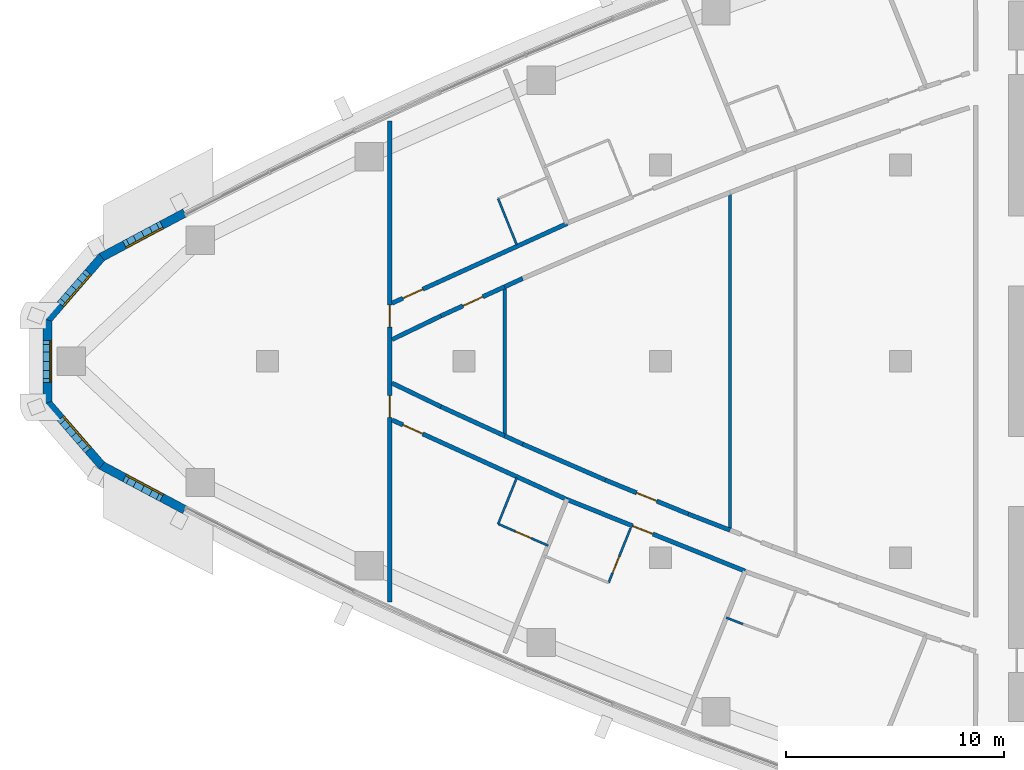
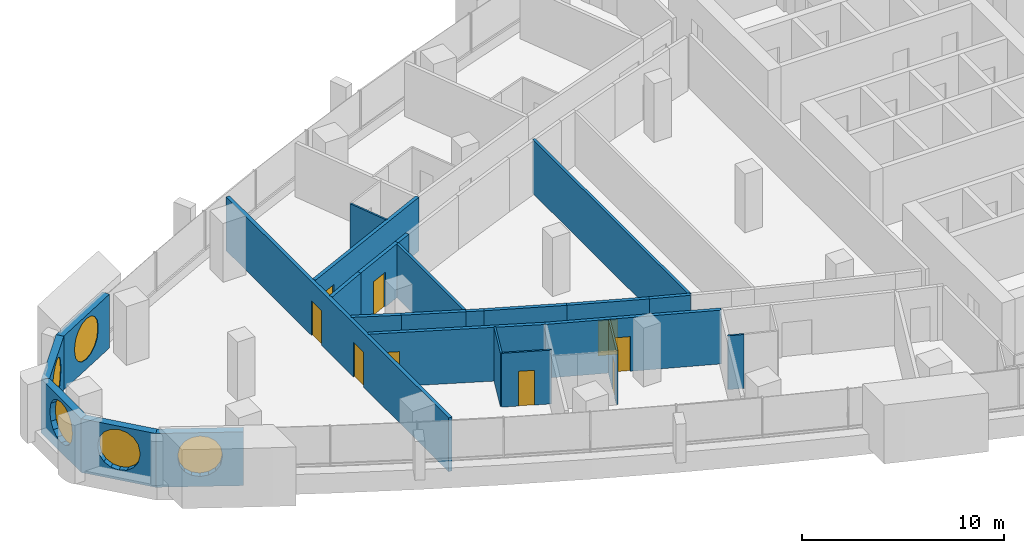
# One storey, part 9 of 17: 25 walls, 9 doors, 5 windows, 14 openings.
"""IFC4 building model written with IfcOpenShell, lengths in metres."""

from ifc_helpers import new_model, si_unit, direction, frame, frame_2d, origin, place, context, subcontext, project, spatial, polyline, rectangle, outline, extrude, material, layer, layer_set, type_object, element, fill, save


model = new_model("IFC4")

# Units and contexts
model_context = context("Model", 3, precision=1e-05, world=origin(), true_north=direction((0.0, 1.0)))
body_context = subcontext(model_context, "Body", "Model", "MODEL_VIEW")
ifc_project = project(units=[si_unit("LENGTHUNIT", "METRE"), si_unit("AREAUNIT", "SQUARE_METRE"), si_unit("VOLUMEUNIT", "CUBIC_METRE"), si_unit("PLANEANGLEUNIT", "RADIAN"), si_unit("MASSUNIT", "GRAM", prefix="KILO")], contexts=[model_context])

# Site, building, storey
site_placement = place(None, origin())
site = spatial("IfcSite", under=ifc_project, at=site_placement, CompositionType="ELEMENT")
building_placement = place(site_placement, origin())
building = spatial("IfcBuilding", under=site, at=building_placement, Name="Ostrand Prow Hotel Tower", CompositionType="ELEMENT")
storey_placement = place(building_placement, frame((0.0, 0.0, 193.25)))
storey = spatial("IfcBuildingStorey", under=building, at=storey_placement, Name="L48", CompositionType="ELEMENT", Elevation=193.25)

# Walls
ifc_material_1 = material(Name="Plasterboard partition")
ifc_layer_1 = layer(ifc_material_1, 0.10009765625)
ifc_layer_set_1 = layer_set([ifc_layer_1], Name="Plasterboard partition")
wall_type_1 = type_object("IfcWallType", Name="Partition 100 bathroom wall", PredefinedType="PARTITIONING", material=ifc_layer_set_1)
for number, where, z_axis, x_axis, name in (
    (1, (27.4189453125, 5.336181640625, 0.0), (0.0, 0.0, 1.0), (-0.373957926662, 0.927445669075, 0.0), "BATHROOM WALL"),
    (2, (26.567138671875, -7.44873046875, 0.0), (0.0, 0.0, 1.0), (0.373957926662, 0.927445669075, 0.0), "BATHROOM WALL"),
):
    element("IfcWall", number, at=place(storey_placement, frame(where, z_axis=z_axis, x_axis=x_axis)), inside=storey, type_object=wall_type_1, Name=name, PredefinedType="PARTITIONING", context=body_context, shape_type="SweptSolid", body=[
        extrude(rectangle(XDim=2.27783203125, YDim=0.10009765625, at=frame_2d((1.138916015625, 0.0))), origin(), (0.0, 0.0, 1.0), 3.25),
    ])

# Wall, opening, door
wall_1_placement = place(storey_placement, frame((28.861328125, -8.444091796875, 0.0), z_axis=(0.0, 0.0, 1.0), x_axis=(-0.917363173809, 0.398051262199, 0.0)))
wall_1 = element("IfcWall", 3, at=wall_1_placement, inside=storey, type_object=wall_type_1, Name="BATHROOM WALL", PredefinedType="PARTITIONING", context=body_context, shape_type="SweptSolid", body=[
    extrude(rectangle(XDim=2.50048828125, YDim=0.10009765625, at=frame_2d((1.250244140625, 0.0))), origin(), (0.0, 0.0, 1.0), 3.25),
])
opening_1_placement = place(wall_1_placement, frame((0.85009765625, 0.0, 0.0)))
opening_1 = element("IfcOpeningElement", 4, at=opening_1_placement, cuts=wall_1, Name="Opening D2", PredefinedType="OPENING", context=body_context, shape_type="SweptSolid", body=[
    extrude(rectangle(XDim=0.800048828125, YDim=2.10009765625, at=frame_2d((0.39990234375, 1.050048828125))), frame((0.0, 0.06005859375, 0.0), z_axis=(0.0, -1.0, 0.0), x_axis=(1.0, 0.0, 0.0)), (0.0, 0.0, 1.0), 0.1201171875),
])
ifc_material_2 = material(Name="Timber door leaf", Category="wood")
door_type_1 = type_object("IfcDoorType", Name="Bathroom door 800", OperationType="SINGLE_SWING_LEFT", PredefinedType="DOOR", material=ifc_material_2)
door_1_placement = place(opening_1_placement, origin())
door_1 = element("IfcDoor", 5, at=door_1_placement, inside=storey, type_object=door_type_1, Name="DOOR", OperationType="SINGLE_SWING_LEFT", OverallHeight=2.10009765625, OverallWidth=0.800048828125, PredefinedType="DOOR", context=body_context, shape_type="SweptSolid", body=[
    extrude(rectangle(XDim=0.800048828125, YDim=2.10009765625, at=frame_2d((0.39990234375, 1.050048828125))), frame((0.0, 0.02490234375, 0.0), z_axis=(0.0, -1.0, 0.0), x_axis=(1.0, 0.0, 0.0)), (0.0, 0.0, 1.0), 0.050048828125),
])
fill(opening_1, door_1)

wall_2_placement = place(storey_placement, frame((32.634521484375, -7.6435546875, 0.0), z_axis=(0.0, 0.0, 1.0), x_axis=(-0.373933172856, -0.927455649742, 0.0)))
wall_2 = element("IfcWall", 6, at=wall_2_placement, inside=storey, type_object=wall_type_1, Name="BATHROOM WALL", PredefinedType="PARTITIONING", context=body_context, shape_type="SweptSolid", body=[
    extrude(rectangle(XDim=2.697021484375, YDim=0.10009765625, at=frame_2d((1.3486328125, 0.0))), origin(), (0.0, 0.0, 1.0), 3.25),
])
opening_2_placement = place(wall_2_placement, frame((1.39990234375, 0.0, 0.0)))
opening_2 = element("IfcOpeningElement", 7, at=opening_2_placement, cuts=wall_2, Name="Opening D2", PredefinedType="OPENING", context=body_context, shape_type="SweptSolid", body=[
    extrude(rectangle(XDim=0.800048828125, YDim=2.10009765625, at=frame_2d((0.39990234375, 1.050048828125))), frame((0.0, 0.06005859375, 0.0), z_axis=(0.0, -1.0, 0.0), x_axis=(1.0, 0.0, 0.0)), (0.0, 0.0, 1.0), 0.1201171875),
])
door_2_placement = place(opening_2_placement, origin())
door_2 = element("IfcDoor", 8, at=door_2_placement, inside=storey, type_object=door_type_1, Name="DOOR", OperationType="SINGLE_SWING_LEFT", OverallHeight=2.10009765625, OverallWidth=0.800048828125, PredefinedType="DOOR", context=body_context, shape_type="SweptSolid", body=[
    extrude(rectangle(XDim=0.800048828125, YDim=2.10009765625, at=frame_2d((0.39990234375, 1.050048828125))), frame((0.0, 0.02490234375, 0.0), z_axis=(0.0, -1.0, 0.0), x_axis=(1.0, 0.0, 0.0)), (0.0, 0.0, 1.0), 0.050048828125),
])
fill(opening_2, door_2)

# Walls
wall_3_placement = place(storey_placement, frame((37.7802734375, -12.037353515625, 0.0), z_axis=(0.0, 0.0, 1.0), x_axis=(-0.9326493613, 0.360784102846, 0.0)))
element("IfcWall", 9, at=wall_3_placement, inside=storey, type_object=wall_type_1, Name="BATHROOM WALL", PredefinedType="PARTITIONING", context=body_context, shape_type="SweptSolid", body=[
    extrude(rectangle(XDim=0.8154296875, YDim=0.10009765625, at=frame_2d((0.40771484375, 0.0))), origin(), (0.0, 0.0, 1.0), 3.25),
])
ifc_material_3 = material(Name="Plasterboard partition")
ifc_layer_2 = layer(ifc_material_3, 0.14990234375)
ifc_layer_set_2 = layer_set([ifc_layer_2], Name="Plasterboard partition")
wall_type_2 = type_object("IfcWallType", Name="Partition 150 room partition", PredefinedType="PARTITIONING", material=ifc_layer_set_2)
wall_4_placement = place(storey_placement, frame((26.8662109375, -3.416259765625, 0.0), z_axis=(0.0, 0.0, 1.0), x_axis=(0.0, 1.0, 0.0)))
element("IfcWall", 10, at=wall_4_placement, inside=storey, type_object=wall_type_2, Name="ROOM PARTITION", PredefinedType="PARTITIONING", context=body_context, shape_type="SweptSolid", body=[
    extrude(rectangle(XDim=6.83251953125, YDim=0.14990234375, at=frame_2d((3.416259765625, 0.0))), origin(), (0.0, 0.0, 1.0), 3.25),
])
wall_5_placement = place(storey_placement, frame((37.1904296875, -7.73486328125, 0.0), z_axis=(0.0, 0.0, 1.0), x_axis=(0.0, 1.0, 0.0)))
element("IfcWall", 11, at=wall_5_placement, inside=storey, type_object=wall_type_2, Name="ROOM PARTITION", PredefinedType="PARTITIONING", context=body_context, shape_type="SweptSolid", body=[
    extrude(rectangle(XDim=15.4697265625, YDim=0.14990234375, at=frame_2d((7.73486328125, 0.0))), origin(), (0.0, 0.0, 1.0), 3.25),
])

# Wall, opening, door
ifc_material_4 = material(Name="Plasterboard partition")
ifc_layer_3 = layer(ifc_material_4, 0.199951171875)
ifc_layer_set_3 = layer_set([ifc_layer_3], Name="Plasterboard partition")
wall_type_3 = type_object("IfcWallType", Name="Partition 200 corridor wall", PredefinedType="PARTITIONING", material=ifc_layer_set_3)
wall_6_placement = place(storey_placement, frame((21.7041015625, 2.66259765625, 0.0), z_axis=(0.0, 0.0, 1.0), x_axis=(0.910233539732, 0.414095282692, 0.0)))
wall_6 = element("IfcWall", 12, at=wall_6_placement, inside=storey, type_object=wall_type_3, Name="CORRIDOR WALL", PredefinedType="PARTITIONING", context=body_context, shape_type="SweptSolid", body=[
    extrude(rectangle(XDim=8.808349609375, YDim=0.199951171875, at=frame_2d((4.404296875, 0.0))), origin(), (0.0, 0.0, 1.0), 3.25),
])
opening_3_placement = place(wall_6_placement, frame((0.550048828125, 0.0, 0.0)))
opening_3 = element("IfcOpeningElement", 13, at=opening_3_placement, cuts=wall_6, Name="Opening D1R", PredefinedType="OPENING", context=body_context, shape_type="SweptSolid", body=[
    extrude(rectangle(XDim=1.0, YDim=2.10009765625, at=frame_2d((0.5, 1.050048828125))), frame((0.0, 0.10986328125, 0.0), z_axis=(0.0, -1.0, 0.0), x_axis=(1.0, 0.0, 0.0)), (0.0, 0.0, 1.0), 0.219970703125),
])
ifc_material_5 = material(Name="Timber door leaf", Category="wood")
door_type_2 = type_object("IfcDoorType", Name="Guest room door 1000 right", OperationType="SINGLE_SWING_RIGHT", PredefinedType="DOOR", material=ifc_material_5)
door_3_placement = place(opening_3_placement, origin())
door_3 = element("IfcDoor", 14, at=door_3_placement, inside=storey, type_object=door_type_2, Name="DOOR", OperationType="SINGLE_SWING_RIGHT", OverallHeight=2.10009765625, OverallWidth=1.0, PredefinedType="DOOR", context=body_context, shape_type="SweptSolid", body=[
    extrude(rectangle(XDim=1.0, YDim=2.10009765625, at=frame_2d((0.5, 1.050048828125))), frame((0.0, 0.02490234375, 0.0), z_axis=(0.0, -1.0, 0.0), x_axis=(1.0, 0.0, 0.0)), (0.0, 0.0, 1.0), 0.050048828125),
])
fill(opening_3, door_3)

wall_7_placement = place(storey_placement, frame((21.7041015625, -2.684814453125, 0.0), z_axis=(0.0, 0.0, 1.0), x_axis=(0.910242920453, -0.414074662067, 0.0)))
wall_7 = element("IfcWall", 15, at=wall_7_placement, inside=storey, type_object=wall_type_3, Name="CORRIDOR WALL", PredefinedType="PARTITIONING", context=body_context, shape_type="SweptSolid", body=[
    extrude(rectangle(XDim=8.7998046875, YDim=0.199951171875, at=frame_2d((4.39990234375, 0.0))), origin(), (0.0, 0.0, 1.0), 3.25),
])
opening_4_placement = place(wall_7_placement, frame((0.550048828125, 0.0, 0.0)))
opening_4 = element("IfcOpeningElement", 16, at=opening_4_placement, cuts=wall_7, Name="Opening D1R", PredefinedType="OPENING", context=body_context, shape_type="SweptSolid", body=[
    extrude(rectangle(XDim=1.0, YDim=2.10009765625, at=frame_2d((0.5, 1.050048828125))), frame((0.0, 0.10986328125, 0.0), z_axis=(0.0, -1.0, 0.0), x_axis=(1.0, 0.0, 0.0)), (0.0, 0.0, 1.0), 0.219970703125),
])
door_4_placement = place(opening_4_placement, origin())
door_4 = element("IfcDoor", 17, at=door_4_placement, inside=storey, type_object=door_type_2, Name="DOOR", OperationType="SINGLE_SWING_RIGHT", OverallHeight=2.10009765625, OverallWidth=1.0, PredefinedType="DOOR", context=body_context, shape_type="SweptSolid", body=[
    extrude(rectangle(XDim=1.0, YDim=2.10009765625, at=frame_2d((0.5, 1.050048828125))), frame((0.0, 0.02490234375, 0.0), z_axis=(0.0, -1.0, 0.0), x_axis=(1.0, 0.0, 0.0)), (0.0, 0.0, 1.0), 0.050048828125),
])
fill(opening_4, door_4)

wall_8_placement = place(storey_placement, frame((29.714111328125, -6.32861328125, 0.0), z_axis=(0.0, 0.0, 1.0), x_axis=(0.927886226391, -0.372863448026, 0.0)))
wall_8 = element("IfcWall", 18, at=wall_8_placement, inside=storey, type_object=wall_type_3, Name="CORRIDOR WALL", PredefinedType="PARTITIONING", context=body_context, shape_type="SweptSolid", body=[
    extrude(rectangle(XDim=8.800048828125, YDim=0.199951171875, at=frame_2d((4.39990234375, 0.0))), origin(), (0.0, 0.0, 1.0), 3.25),
])
opening_5_placement = place(wall_8_placement, frame((3.25, 0.0, 0.0)))
opening_5 = element("IfcOpeningElement", 19, at=opening_5_placement, cuts=wall_8, Name="Opening D1R", PredefinedType="OPENING", context=body_context, shape_type="SweptSolid", body=[
    extrude(rectangle(XDim=1.0, YDim=2.10009765625, at=frame_2d((0.5, 1.050048828125))), frame((0.0, 0.10986328125, 0.0), z_axis=(0.0, -1.0, 0.0), x_axis=(1.0, 0.0, 0.0)), (0.0, 0.0, 1.0), 0.219970703125),
])
door_5_placement = place(opening_5_placement, origin())
door_5 = element("IfcDoor", 20, at=door_5_placement, inside=storey, type_object=door_type_2, Name="DOOR", OperationType="SINGLE_SWING_RIGHT", OverallHeight=2.10009765625, OverallWidth=1.0, PredefinedType="DOOR", context=body_context, shape_type="SweptSolid", body=[
    extrude(rectangle(XDim=1.0, YDim=2.10009765625, at=frame_2d((0.5, 1.050048828125))), frame((0.0, 0.02490234375, 0.0), z_axis=(0.0, -1.0, 0.0), x_axis=(1.0, 0.0, 0.0)), (0.0, 0.0, 1.0), 0.050048828125),
])
fill(opening_5, door_5)

wall_9_placement = place(storey_placement, frame((23.946533203125, 2.0791015625, 0.0), z_axis=(0.0, 0.0, 1.0), x_axis=(0.90918596673, 0.416390295157, 0.0)))
wall_9 = element("IfcWall", 21, at=wall_9_placement, inside=storey, type_object=wall_type_3, Name="CORRIDOR WALL", PredefinedType="PARTITIONING", context=body_context, shape_type="SweptSolid", body=[
    extrude(rectangle(XDim=3.21142578125, YDim=0.199951171875, at=frame_2d((1.605712890625, 0.0))), origin(), (0.0, 0.0, 1.0), 3.25),
])
opening_6_placement = place(wall_9_placement, frame((1.105712890625, 0.0, 0.0)))
opening_6 = element("IfcOpeningElement", 22, at=opening_6_placement, cuts=wall_9, Name="Opening D1", PredefinedType="OPENING", context=body_context, shape_type="SweptSolid", body=[
    extrude(rectangle(XDim=1.0, YDim=2.10009765625, at=frame_2d((0.5, 1.050048828125))), frame((0.0, 0.10986328125, 0.0), z_axis=(0.0, -1.0, 0.0), x_axis=(1.0, 0.0, 0.0)), (0.0, 0.0, 1.0), 0.219970703125),
])
ifc_material_6 = material(Name="Timber door leaf", Category="wood")
door_type_3 = type_object("IfcDoorType", Name="Guest room door 1000", OperationType="SINGLE_SWING_LEFT", PredefinedType="DOOR", material=ifc_material_6)
door_6_placement = place(opening_6_placement, origin())
door_6 = element("IfcDoor", 23, at=door_6_placement, inside=storey, type_object=door_type_3, Name="DOOR", OperationType="SINGLE_SWING_LEFT", OverallHeight=2.10009765625, OverallWidth=1.0, PredefinedType="DOOR", context=body_context, shape_type="SweptSolid", body=[
    extrude(rectangle(XDim=1.0, YDim=2.10009765625, at=frame_2d((0.5, 1.050048828125))), frame((0.0, 0.02490234375, 0.0), z_axis=(0.0, -1.0, 0.0), x_axis=(1.0, 0.0, 0.0)), (0.0, 0.0, 1.0), 0.050048828125),
])
fill(opening_6, door_6)

# Walls
for number, where, z_axis, x_axis, name in (
    (24, (23.946533203125, -2.0791015625, 0.0), (0.0, 0.0, 1.0), (-0.900633695148, 0.434579045933, 0.0), "CORRIDOR WALL"),
    (25, (21.7041015625, 0.9970703125, 0.0), (0.0, 0.0, 1.0), (0.900633695148, 0.434579045933, 0.0), "CORRIDOR WALL"),
):
    element("IfcWall", number, at=place(storey_placement, frame(where, z_axis=z_axis, x_axis=x_axis)), inside=storey, type_object=wall_type_3, Name=name, PredefinedType="PARTITIONING", context=body_context, shape_type="SweptSolid", body=[
        extrude(rectangle(XDim=2.48974609375, YDim=0.199951171875, at=frame_2d((1.244873046875, 0.0))), origin(), (0.0, 0.0, 1.0), 3.25),
    ])
wall_10_placement = place(storey_placement, frame((26.8662109375, -3.416259765625, 0.0), z_axis=(0.0, 0.0, 1.0), x_axis=(-0.90918596673, 0.416390295157, 0.0)))
element("IfcWall", 26, at=wall_10_placement, inside=storey, type_object=wall_type_3, Name="CORRIDOR WALL", PredefinedType="PARTITIONING", context=body_context, shape_type="SweptSolid", body=[
    extrude(rectangle(XDim=3.21142578125, YDim=0.199951171875, at=frame_2d((1.605712890625, 0.0))), origin(), (0.0, 0.0, 1.0), 3.25),
])

# Wall, opening, door
wall_11_placement = place(storey_placement, frame((35.275634765625, -6.994384765625, 0.0), z_axis=(0.0, 0.0, 1.0), x_axis=(-0.92520652337, 0.379463949689, 0.0)))
wall_11 = element("IfcWall", 27, at=wall_11_placement, inside=storey, type_object=wall_type_3, Name="CORRIDOR WALL", PredefinedType="PARTITIONING", context=body_context, shape_type="SweptSolid", body=[
    extrude(rectangle(XDim=4.116943359375, YDim=0.199951171875, at=frame_2d((2.05859375, 0.0))), origin(), (0.0, 0.0, 1.0), 3.25),
])
opening_7_placement = place(wall_11_placement, frame((1.55859375, 0.0, 0.0)))
opening_7 = element("IfcOpeningElement", 28, at=opening_7_placement, cuts=wall_11, Name="Opening D1R", PredefinedType="OPENING", context=body_context, shape_type="SweptSolid", body=[
    extrude(rectangle(XDim=1.0, YDim=2.10009765625, at=frame_2d((0.5, 1.050048828125))), frame((0.0, 0.10986328125, 0.0), z_axis=(0.0, -1.0, 0.0), x_axis=(1.0, 0.0, 0.0)), (0.0, 0.0, 1.0), 0.219970703125),
])
door_7_placement = place(opening_7_placement, origin())
door_7 = element("IfcDoor", 29, at=door_7_placement, inside=storey, type_object=door_type_2, Name="DOOR", OperationType="SINGLE_SWING_RIGHT", OverallHeight=2.10009765625, OverallWidth=1.0, PredefinedType="DOOR", context=body_context, shape_type="SweptSolid", body=[
    extrude(rectangle(XDim=1.0, YDim=2.10009765625, at=frame_2d((0.5, 1.050048828125))), frame((0.0, 0.02490234375, 0.0), z_axis=(0.0, -1.0, 0.0), x_axis=(1.0, 0.0, 0.0)), (0.0, 0.0, 1.0), 0.050048828125),
])
fill(opening_7, door_7)

# Walls
wall_12_placement = place(storey_placement, frame((37.1904296875, -7.73486328125, 0.0), z_axis=(0.0, 0.0, 1.0), x_axis=(-0.932688150298, 0.360683814848, 0.0)))
element("IfcWall", 30, at=wall_12_placement, inside=storey, type_object=wall_type_3, Name="CORRIDOR WALL", PredefinedType="PARTITIONING", context=body_context, shape_type="SweptSolid", body=[
    extrude(rectangle(XDim=2.052978515625, YDim=0.199951171875, at=frame_2d((1.0263671875, 0.0))), origin(), (0.0, 0.0, 1.0), 3.25),
])
wall_13_placement = place(storey_placement, frame((31.466552734375, -5.43212890625, 0.0), z_axis=(0.0, 0.0, 1.0), x_axis=(-0.917375244839, 0.398023441717, 0.0)))
element("IfcWall", 31, at=wall_13_placement, inside=storey, type_object=wall_type_3, Name="CORRIDOR WALL", PredefinedType="PARTITIONING", context=body_context, shape_type="SweptSolid", body=[
    extrude(rectangle(XDim=4.116943359375, YDim=0.199951171875, at=frame_2d((2.05859375, 0.0))), origin(), (0.0, 0.0, 1.0), 3.25),
])
for number, where, z_axis, x_axis, name in (
    (32, (27.689697265625, -3.79345703125, 0.0), (0.0, 0.0, 1.0), (-0.909162637051, 0.416441231617, 0.0), "CORRIDOR WALL"),
    (33, (26.8662109375, 3.416259765625, 0.0), (0.0, 0.0, 1.0), (0.909162637051, 0.416441231617, 0.0), "CORRIDOR WALL"),
):
    element("IfcWall", number, at=place(storey_placement, frame(where, z_axis=z_axis, x_axis=x_axis)), inside=storey, type_object=wall_type_3, Name=name, PredefinedType="PARTITIONING", context=body_context, shape_type="SweptSolid", body=[
        extrude(rectangle(XDim=0.90576171875, YDim=0.199951171875, at=frame_2d((0.452880859375, 0.0))), origin(), (0.0, 0.0, 1.0), 3.25),
    ])

# Wall, openings, doors
ifc_material_7 = material(Name="Plasterboard partition")
ifc_layer_4 = layer(ifc_material_7, 0.199951171875)
ifc_layer_set_4 = layer_set([ifc_layer_4], Name="Plasterboard partition")
wall_type_4 = type_object("IfcWallType", Name="Partition 200 lounge wall", PredefinedType="PARTITIONING", material=ifc_layer_set_4)
wall_14_placement = place(storey_placement, frame((21.60400390625, -11.015380859375, 0.0), z_axis=(0.0, 0.0, 1.0), x_axis=(0.0, 1.0, 0.0)))
wall_14 = element("IfcWall", 34, at=wall_14_placement, inside=storey, type_object=wall_type_4, Name="LOUNGE WALL", PredefinedType="PARTITIONING", context=body_context, shape_type="SweptSolid", body=[
    extrude(rectangle(XDim=22.03076171875, YDim=0.199951171875, at=frame_2d((11.015380859375, 0.0))), origin(), (0.0, 0.0, 1.0), 3.25),
])
opening_8_placement = place(wall_14_placement, frame((12.5859375, 0.0, 0.0)))
opening_8 = element("IfcOpeningElement", 35, at=opening_8_placement, cuts=wall_14, Name="Opening D1", PredefinedType="OPENING", context=body_context, shape_type="SweptSolid", body=[
    extrude(rectangle(XDim=1.0, YDim=2.10009765625, at=frame_2d((0.5, 1.050048828125))), frame((0.0, 0.10986328125, 0.0), z_axis=(0.0, -1.0, 0.0), x_axis=(1.0, 0.0, 0.0)), (0.0, 0.0, 1.0), 0.219970703125),
])
opening_9_placement = place(wall_14_placement, frame((8.444091796875, 0.0, 0.0)))
opening_9 = element("IfcOpeningElement", 36, at=opening_9_placement, cuts=wall_14, Name="Opening D1R", PredefinedType="OPENING", context=body_context, shape_type="SweptSolid", body=[
    extrude(rectangle(XDim=1.0, YDim=2.10009765625, at=frame_2d((0.5, 1.050048828125))), frame((0.0, 0.10986328125, 0.0), z_axis=(0.0, -1.0, 0.0), x_axis=(1.0, 0.0, 0.0)), (0.0, 0.0, 1.0), 0.219970703125),
])
door_8_placement = place(opening_8_placement, origin())
door_8 = element("IfcDoor", 37, at=door_8_placement, inside=storey, type_object=door_type_3, Name="DOOR", OperationType="SINGLE_SWING_LEFT", OverallHeight=2.10009765625, OverallWidth=1.0, PredefinedType="DOOR", context=body_context, shape_type="SweptSolid", body=[
    extrude(rectangle(XDim=1.0, YDim=2.10009765625, at=frame_2d((0.5, 1.050048828125))), frame((0.0, 0.02490234375, 0.0), z_axis=(0.0, -1.0, 0.0), x_axis=(1.0, 0.0, 0.0)), (0.0, 0.0, 1.0), 0.050048828125),
])
fill(opening_8, door_8)
door_9_placement = place(opening_9_placement, origin())
door_9 = element("IfcDoor", 38, at=door_9_placement, inside=storey, type_object=door_type_2, Name="DOOR", OperationType="SINGLE_SWING_RIGHT", OverallHeight=2.10009765625, OverallWidth=1.0, PredefinedType="DOOR", context=body_context, shape_type="SweptSolid", body=[
    extrude(rectangle(XDim=1.0, YDim=2.10009765625, at=frame_2d((0.5, 1.050048828125))), frame((0.0, 0.02490234375, 0.0), z_axis=(0.0, -1.0, 0.0), x_axis=(1.0, 0.0, 0.0)), (0.0, 0.0, 1.0), 0.050048828125),
])
fill(opening_9, door_9)

# Wall, opening, window
ifc_material_8 = material(Name="Precast concrete C40/50", Category="concrete")
ifc_layer_5 = layer(ifc_material_8, 0.39990234375)
ifc_layer_set_5 = layer_set([ifc_layer_5], Name="Precast concrete C40/50")
wall_type_5 = type_object("IfcWallType", Name="Stone-faced precast wall 400 mm", PredefinedType="NOTDEFINED", material=ifc_layer_set_5)
wall_15_placement = place(storey_placement, frame((12.209716796875, 6.801025390625, 0.0), z_axis=(0.0, 0.0, 1.0), x_axis=(-0.882385889746, -0.470526451518, 0.0)))
wall_15 = element("IfcWall", 39, at=wall_15_placement, inside=storey, type_object=wall_type_5, Name="Stone-faced wall prow 1", PredefinedType="NOTDEFINED", context=body_context, shape_type="SweptSolid", body=[
    extrude(outline(polyline([(0.0, -0.199951171875), (4.34423828125, -0.199951171875), (4.27001953125, 0.199951171875), (0.0, 0.199951171875), (0.0, -0.199951171875)])), origin(), (0.0, 0.0, 1.0), 3.25),
])
opening_10_placement = place(wall_15_placement, frame((1.053466796875, 0.0, 0.60009765625)))
opening_10 = element("IfcOpeningElement", 40, at=opening_10_placement, cuts=wall_15, Name="Opening WP1", PredefinedType="OPENING", context=body_context, shape_type="SweptSolid", body=[
    extrude(outline(polyline([(0.0, 1.35009765625), (0.083740234375, 1.77099609375), (0.322265625, 2.127685546875), (0.678955078125, 2.3662109375), (1.10009765625, 2.449951171875), (1.52099609375, 2.3662109375), (1.877685546875, 2.127685546875), (2.1162109375, 1.77099609375), (2.199951171875, 1.35009765625), (2.199951171875, 1.10009765625), (2.1162109375, 0.678955078125), (1.877685546875, 0.322265625), (1.52099609375, 0.083740234375), (1.10009765625, 0.0), (0.678955078125, 0.083740234375), (0.322265625, 0.322265625), (0.083740234375, 0.678955078125), (0.0, 1.099853515625), (0.0, 1.35009765625)])), frame((0.0, 0.2099609375, 0.0), z_axis=(0.0, -1.0, 0.0), x_axis=(1.0, 0.0, 0.0)), (0.0, 0.0, 1.0), 0.419921875),
])
ifc_material_9 = material(Name="Insulated glass in bronze frame", Category="glass")
window_type = type_object("IfcWindowType", Name="Round-ended prow window 2200x2450", PartitioningType="SINGLE_PANEL", PredefinedType="WINDOW", material=ifc_material_9)
window_1_placement = place(opening_10_placement, origin())
window_1 = element("IfcWindow", 41, at=window_1_placement, inside=storey, type_object=window_type, Name="Window prow 1.1", OverallHeight=2.449951171875, OverallWidth=2.199951171875, PartitioningType="SINGLE_PANEL", PredefinedType="WINDOW", context=body_context, shape_type="SweptSolid", body=[
    extrude(outline(polyline([(0.0, 1.35009765625), (0.083740234375, 1.77099609375), (0.322265625, 2.127685546875), (0.678955078125, 2.3662109375), (1.10009765625, 2.449951171875), (1.52099609375, 2.3662109375), (1.877685546875, 2.127685546875), (2.1162109375, 1.77099609375), (2.199951171875, 1.35009765625), (2.199951171875, 1.10009765625), (2.1162109375, 0.678955078125), (1.877685546875, 0.322265625), (1.52099609375, 0.083740234375), (1.10009765625, 0.0), (0.678955078125, 0.083740234375), (0.322265625, 0.322265625), (0.083740234375, 0.678955078125), (0.0, 1.099853515625), (0.0, 1.35009765625)])), frame((0.0, 0.169921875, 0.0), z_axis=(0.0, -1.0, 0.0), x_axis=(1.0, 0.0, 0.0)), (0.0, 0.0, 1.0), 0.06005859375),
])
fill(opening_10, window_1)

wall_16_placement = place(storey_placement, frame((8.4091796875, 4.7744140625, 0.0), z_axis=(0.0, 0.0, 1.0), x_axis=(-0.654759384203, -0.755837382509, 0.0)))
wall_16 = element("IfcWall", 42, at=wall_16_placement, inside=storey, type_object=wall_type_5, Name="Stone-faced wall prow 2", PredefinedType="NOTDEFINED", context=body_context, shape_type="SweptSolid", body=[
    extrude(outline(polyline([(-0.037109375, -0.199951171875), (3.87646484375, -0.199951171875), (3.72705078125, 0.199951171875), (0.037109375, 0.199951171875), (-0.037109375, -0.199951171875)])), origin(), (0.0, 0.0, 1.0), 3.25),
])
opening_11_placement = place(wall_16_placement, frame((0.80078125, 0.0, 0.60009765625)))
opening_11 = element("IfcOpeningElement", 43, at=opening_11_placement, cuts=wall_16, Name="Opening WP1", PredefinedType="OPENING", context=body_context, shape_type="SweptSolid", body=[
    extrude(outline(polyline([(0.0, 1.35009765625), (0.083740234375, 1.77099609375), (0.322265625, 2.127685546875), (0.678955078125, 2.3662109375), (1.10009765625, 2.449951171875), (1.52099609375, 2.3662109375), (1.877685546875, 2.127685546875), (2.1162109375, 1.77099609375), (2.199951171875, 1.35009765625), (2.199951171875, 1.10009765625), (2.1162109375, 0.678955078125), (1.877685546875, 0.322265625), (1.52099609375, 0.083740234375), (1.10009765625, 0.0), (0.678955078125, 0.083740234375), (0.322265625, 0.322265625), (0.083740234375, 0.678955078125), (0.0, 1.099853515625), (0.0, 1.35009765625)])), frame((0.0, 0.2099609375, 0.0), z_axis=(0.0, -1.0, 0.0), x_axis=(1.0, 0.0, 0.0)), (0.0, 0.0, 1.0), 0.419921875),
])
window_2_placement = place(opening_11_placement, origin())
window_2 = element("IfcWindow", 44, at=window_2_placement, inside=storey, type_object=window_type, Name="Window prow 2.1", OverallHeight=2.449951171875, OverallWidth=2.199951171875, PartitioningType="SINGLE_PANEL", PredefinedType="WINDOW", context=body_context, shape_type="SweptSolid", body=[
    extrude(outline(polyline([(0.0, 1.35009765625), (0.083740234375, 1.77099609375), (0.322265625, 2.127685546875), (0.678955078125, 2.3662109375), (1.10009765625, 2.449951171875), (1.52099609375, 2.3662109375), (1.877685546875, 2.127685546875), (2.1162109375, 1.77099609375), (2.199951171875, 1.35009765625), (2.199951171875, 1.10009765625), (2.1162109375, 0.678955078125), (1.877685546875, 0.322265625), (1.52099609375, 0.083740234375), (1.10009765625, 0.0), (0.678955078125, 0.083740234375), (0.322265625, 0.322265625), (0.083740234375, 0.678955078125), (0.0, 1.099853515625), (0.0, 1.35009765625)])), frame((0.0, 0.169921875, 0.0), z_axis=(0.0, -1.0, 0.0), x_axis=(1.0, 0.0, 0.0)), (0.0, 0.0, 1.0), 0.06005859375),
])
fill(opening_11, window_2)

wall_17_placement = place(storey_placement, frame((5.919921875, 1.90087890625, 0.0), z_axis=(0.0, 0.0, 1.0), x_axis=(0.0, -1.0, 0.0)))
wall_17 = element("IfcWall", 45, at=wall_17_placement, inside=storey, type_object=wall_type_5, Name="Stone-faced wall prow 3", PredefinedType="NOTDEFINED", context=body_context, shape_type="SweptSolid", body=[
    extrude(outline(polyline([(-0.07470703125, -0.199951171875), (3.87646484375, -0.199951171875), (3.72705078125, 0.199951171875), (0.07470703125, 0.199951171875), (-0.07470703125, -0.199951171875)])), origin(), (0.0, 0.0, 1.0), 3.25),
])
opening_12_placement = place(wall_17_placement, frame((0.80078125, 0.0, 0.60009765625)))
opening_12 = element("IfcOpeningElement", 46, at=opening_12_placement, cuts=wall_17, Name="Opening WP1", PredefinedType="OPENING", context=body_context, shape_type="SweptSolid", body=[
    extrude(outline(polyline([(0.0, 1.35009765625), (0.083740234375, 1.77099609375), (0.322265625, 2.127685546875), (0.678955078125, 2.3662109375), (1.10009765625, 2.449951171875), (1.52099609375, 2.3662109375), (1.877685546875, 2.127685546875), (2.1162109375, 1.77099609375), (2.199951171875, 1.35009765625), (2.199951171875, 1.10009765625), (2.1162109375, 0.678955078125), (1.877685546875, 0.322265625), (1.52099609375, 0.083740234375), (1.10009765625, 0.0), (0.678955078125, 0.083740234375), (0.322265625, 0.322265625), (0.083740234375, 0.678955078125), (0.0, 1.099853515625), (0.0, 1.35009765625)])), frame((0.0, 0.2099609375, 0.0), z_axis=(0.0, -1.0, 0.0), x_axis=(1.0, 0.0, 0.0)), (0.0, 0.0, 1.0), 0.419921875),
])
window_3_placement = place(opening_12_placement, origin())
window_3 = element("IfcWindow", 47, at=window_3_placement, inside=storey, type_object=window_type, Name="Window prow 3.1", OverallHeight=2.449951171875, OverallWidth=2.199951171875, PartitioningType="SINGLE_PANEL", PredefinedType="WINDOW", context=body_context, shape_type="SweptSolid", body=[
    extrude(outline(polyline([(0.0, 1.35009765625), (0.083740234375, 1.77099609375), (0.322265625, 2.127685546875), (0.678955078125, 2.3662109375), (1.10009765625, 2.449951171875), (1.52099609375, 2.3662109375), (1.877685546875, 2.127685546875), (2.1162109375, 1.77099609375), (2.199951171875, 1.35009765625), (2.199951171875, 1.10009765625), (2.1162109375, 0.678955078125), (1.877685546875, 0.322265625), (1.52099609375, 0.083740234375), (1.10009765625, 0.0), (0.678955078125, 0.083740234375), (0.322265625, 0.322265625), (0.083740234375, 0.678955078125), (0.0, 1.099853515625), (0.0, 1.35009765625)])), frame((0.0, 0.169921875, 0.0), z_axis=(0.0, -1.0, 0.0), x_axis=(1.0, 0.0, 0.0)), (0.0, 0.0, 1.0), 0.06005859375),
])
fill(opening_12, window_3)

wall_18_placement = place(storey_placement, frame((5.919921875, -1.90087890625, 0.0), z_axis=(0.0, 0.0, 1.0), x_axis=(0.654759384203, -0.755837382509, 0.0)))
wall_18 = element("IfcWall", 48, at=wall_18_placement, inside=storey, type_object=wall_type_5, Name="Stone-faced wall prow 4", PredefinedType="NOTDEFINED", context=body_context, shape_type="SweptSolid", body=[
    extrude(outline(polyline([(-0.07470703125, -0.199951171875), (3.8388671875, -0.199951171875), (3.7646484375, 0.199951171875), (0.07470703125, 0.199951171875), (-0.07470703125, -0.199951171875)])), origin(), (0.0, 0.0, 1.0), 3.25),
])
opening_13_placement = place(wall_18_placement, frame((0.80078125, 0.0, 0.60009765625)))
opening_13 = element("IfcOpeningElement", 49, at=opening_13_placement, cuts=wall_18, Name="Opening WP1", PredefinedType="OPENING", context=body_context, shape_type="SweptSolid", body=[
    extrude(outline(polyline([(0.0, 1.35009765625), (0.083740234375, 1.77099609375), (0.322265625, 2.127685546875), (0.678955078125, 2.3662109375), (1.10009765625, 2.449951171875), (1.52099609375, 2.3662109375), (1.877685546875, 2.127685546875), (2.1162109375, 1.77099609375), (2.199951171875, 1.35009765625), (2.199951171875, 1.10009765625), (2.1162109375, 0.678955078125), (1.877685546875, 0.322265625), (1.52099609375, 0.083740234375), (1.10009765625, 0.0), (0.678955078125, 0.083740234375), (0.322265625, 0.322265625), (0.083740234375, 0.678955078125), (0.0, 1.099853515625), (0.0, 1.35009765625)])), frame((0.0, 0.2099609375, 0.0), z_axis=(0.0, -1.0, 0.0), x_axis=(1.0, 0.0, 0.0)), (0.0, 0.0, 1.0), 0.419921875),
])
window_4_placement = place(opening_13_placement, origin())
window_4 = element("IfcWindow", 50, at=window_4_placement, inside=storey, type_object=window_type, Name="Window prow 4.1", OverallHeight=2.449951171875, OverallWidth=2.199951171875, PartitioningType="SINGLE_PANEL", PredefinedType="WINDOW", context=body_context, shape_type="SweptSolid", body=[
    extrude(outline(polyline([(0.0, 1.35009765625), (0.083740234375, 1.77099609375), (0.322265625, 2.127685546875), (0.678955078125, 2.3662109375), (1.10009765625, 2.449951171875), (1.52099609375, 2.3662109375), (1.877685546875, 2.127685546875), (2.1162109375, 1.77099609375), (2.199951171875, 1.35009765625), (2.199951171875, 1.10009765625), (2.1162109375, 0.678955078125), (1.877685546875, 0.322265625), (1.52099609375, 0.083740234375), (1.10009765625, 0.0), (0.678955078125, 0.083740234375), (0.322265625, 0.322265625), (0.083740234375, 0.678955078125), (0.0, 1.099853515625), (0.0, 1.35009765625)])), frame((0.0, 0.169921875, 0.0), z_axis=(0.0, -1.0, 0.0), x_axis=(1.0, 0.0, 0.0)), (0.0, 0.0, 1.0), 0.06005859375),
])
fill(opening_13, window_4)

wall_19_placement = place(storey_placement, frame((8.4091796875, -4.7744140625, 0.0), z_axis=(0.0, 0.0, 1.0), x_axis=(0.882385889746, -0.470526451518, 0.0)))
wall_19 = element("IfcWall", 51, at=wall_19_placement, inside=storey, type_object=wall_type_5, Name="Stone-faced wall prow 5", PredefinedType="NOTDEFINED", context=body_context, shape_type="SweptSolid", body=[
    extrude(outline(polyline([(-0.037109375, -0.199951171875), (4.30712890625, -0.199951171875), (4.30712890625, 0.199951171875), (0.037109375, 0.199951171875), (-0.037109375, -0.199951171875)])), origin(), (0.0, 0.0, 1.0), 3.25),
])
opening_14_placement = place(wall_19_placement, frame((1.053466796875, 0.0, 0.60009765625)))
opening_14 = element("IfcOpeningElement", 52, at=opening_14_placement, cuts=wall_19, Name="Opening WP1", PredefinedType="OPENING", context=body_context, shape_type="SweptSolid", body=[
    extrude(outline(polyline([(0.0, 1.35009765625), (0.083740234375, 1.77099609375), (0.322265625, 2.127685546875), (0.678955078125, 2.3662109375), (1.10009765625, 2.449951171875), (1.52099609375, 2.3662109375), (1.877685546875, 2.127685546875), (2.1162109375, 1.77099609375), (2.199951171875, 1.35009765625), (2.199951171875, 1.10009765625), (2.1162109375, 0.678955078125), (1.877685546875, 0.322265625), (1.52099609375, 0.083740234375), (1.10009765625, 0.0), (0.678955078125, 0.083740234375), (0.322265625, 0.322265625), (0.083740234375, 0.678955078125), (0.0, 1.099853515625), (0.0, 1.35009765625)])), frame((0.0, 0.2099609375, 0.0), z_axis=(0.0, -1.0, 0.0), x_axis=(1.0, 0.0, 0.0)), (0.0, 0.0, 1.0), 0.419921875),
])
window_5_placement = place(opening_14_placement, origin())
window_5 = element("IfcWindow", 53, at=window_5_placement, inside=storey, type_object=window_type, Name="Window prow 5.1", OverallHeight=2.449951171875, OverallWidth=2.199951171875, PartitioningType="SINGLE_PANEL", PredefinedType="WINDOW", context=body_context, shape_type="SweptSolid", body=[
    extrude(outline(polyline([(0.0, 1.35009765625), (0.083740234375, 1.77099609375), (0.322265625, 2.127685546875), (0.678955078125, 2.3662109375), (1.10009765625, 2.449951171875), (1.52099609375, 2.3662109375), (1.877685546875, 2.127685546875), (2.1162109375, 1.77099609375), (2.199951171875, 1.35009765625), (2.199951171875, 1.10009765625), (2.1162109375, 0.678955078125), (1.877685546875, 0.322265625), (1.52099609375, 0.083740234375), (1.10009765625, 0.0), (0.678955078125, 0.083740234375), (0.322265625, 0.322265625), (0.083740234375, 0.678955078125), (0.0, 1.099853515625), (0.0, 1.35009765625)])), frame((0.0, 0.169921875, 0.0), z_axis=(0.0, -1.0, 0.0), x_axis=(1.0, 0.0, 0.0)), (0.0, 0.0, 1.0), 0.06005859375),
])
fill(opening_14, window_5)

save(model, "model.ifc")
